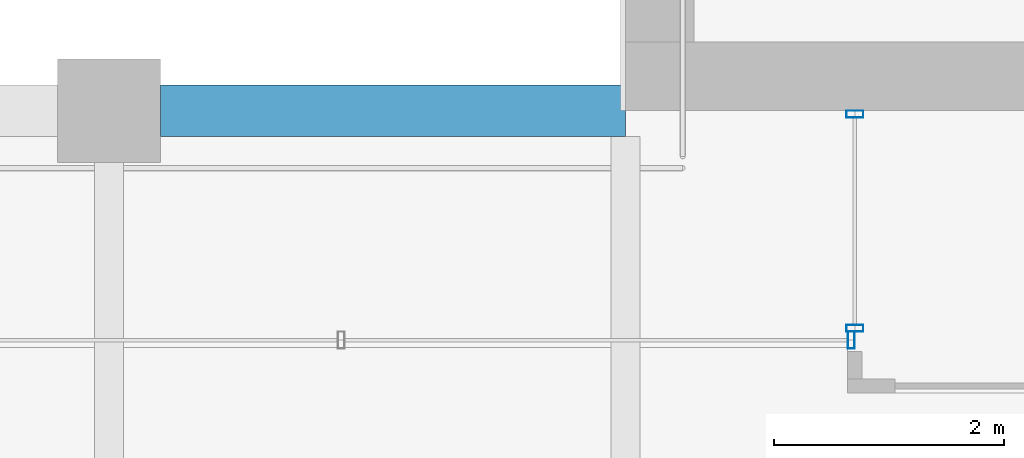
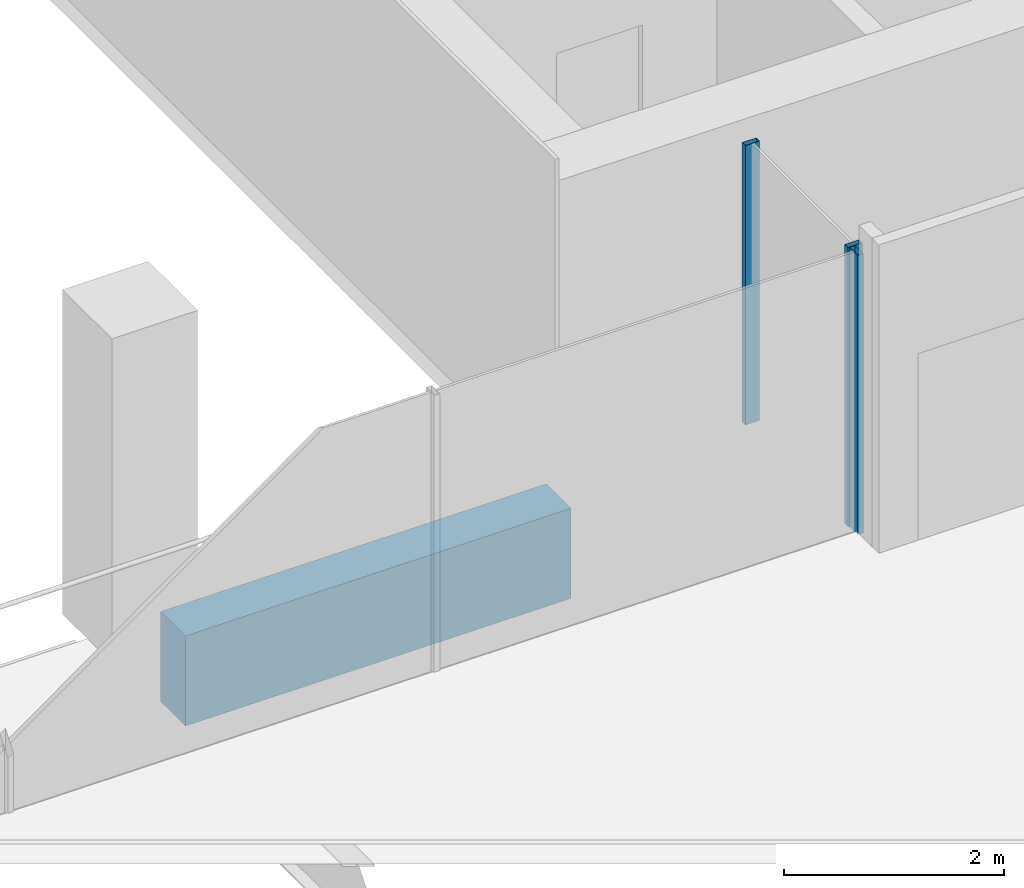
# One storey, part 6 of 40: 3 members, 1 beam, 2 elements without a shape of their own.
"""IFC4 building model written with IfcOpenShell, lengths in metres."""

from ifc_helpers import new_model, si_unit, direction, frame, origin, origin_2d, place, context, subcontext, project, spatial, rectangle, hollow_rectangle, extrude, material, material_profile, profile_set, type_object, element, aggregate, save


model = new_model("IFC4")

# Units and contexts
model_context = context("Model", 3, precision=1e-05, world=origin(), true_north=direction((0.0, 1.0)))
body_context = subcontext(model_context, "Body", "Model", "MODEL_VIEW")
ifc_project = project(units=[si_unit("LENGTHUNIT", "METRE"), si_unit("AREAUNIT", "SQUARE_METRE"), si_unit("VOLUMEUNIT", "CUBIC_METRE"), si_unit("PLANEANGLEUNIT", "RADIAN"), si_unit("MASSUNIT", "GRAM", prefix="KILO")], contexts=[model_context])

# Site, building, storey
site_placement = place(None, origin())
site = spatial("IfcSite", under=ifc_project, at=site_placement, CompositionType="ELEMENT")
building_placement = place(site_placement, origin())
building = spatial("IfcBuilding", under=site, at=building_placement, Name="Altepetl Exchange Towers", CompositionType="ELEMENT")
storey_placement = place(building_placement, frame((0.0, 0.0, 176.199951171875)))
storey = spatial("IfcBuildingStorey", under=building, at=storey_placement, Name="L44", CompositionType="ELEMENT", Elevation=176.199951171875)

# Curtain wall, members
ifc_material_1 = material(Name="Aluminium 6063-T6 glazing", Category="aluminium")
curtain_wall_type = type_object("IfcCurtainWallType", Name="Loggia glazing system", PredefinedType="NOTDEFINED", material=ifc_material_1)
curtain_wall_1_placement = place(storey_placement, origin())
curtain_wall_1 = element("IfcCurtainWall", 1, at=curtain_wall_1_placement, inside=storey, type_object=curtain_wall_type, Name="CW1 run", PredefinedType="NOTDEFINED")
ifc_material_2 = material(Name="Aluminium 6063-T6", Category="aluminium")
ifc_material_profile_1 = material_profile(ifc_material_2, hollow_rectangle(XDim=0.06005859375, YDim=0.14990234375, WallThickness=0.0029296875, at=origin_2d()), Name="Mullion 60x150 aluminium")
ifc_profile_set_1 = profile_set([ifc_material_profile_1], Name="Aluminium 6063-T6")
member_type = type_object("IfcMemberType", Name="Mullion 60x150 aluminium", PredefinedType="MULLION", material=ifc_profile_set_1)
member_1_placement = place(storey_placement, frame((42.5, 40.469970703125, 0.0), z_axis=(0.0, 0.0, 1.0), x_axis=(0.0, -1.0, 0.0)))
member_1 = element("IfcMember", 2, at=member_1_placement, type_object=member_type, Name="MU1 mullion", PredefinedType="MULLION", context=body_context, shape_type="SweptSolid", body=[
    extrude(hollow_rectangle(XDim=0.06005859375, YDim=0.14990234375, WallThickness=0.0029296875, at=origin_2d()), origin(), (0.0, 0.0, 1.0), 3.10009765625),
])
member_2_placement = place(storey_placement, frame((42.5, 38.60498046875, 0.0), z_axis=(0.0, 0.0, 1.0), x_axis=(0.0, -1.0, 0.0)))
member_2 = element("IfcMember", 3, at=member_2_placement, type_object=member_type, Name="MU1 mullion", PredefinedType="MULLION", context=body_context, shape_type="SweptSolid", body=[
    extrude(hollow_rectangle(XDim=0.06005859375, YDim=0.14990234375, WallThickness=0.0029296875, at=origin_2d()), origin(), (0.0, 0.0, 1.0), 3.10009765625),
])
aggregate(curtain_wall_1, [member_1, member_2])

# Curtain wall, member
curtain_wall_2_placement = place(storey_placement, origin())
curtain_wall_2 = element("IfcCurtainWall", 4, at=curtain_wall_2_placement, inside=storey, type_object=curtain_wall_type, Name="CW1 run", PredefinedType="NOTDEFINED")
member_3_placement = place(storey_placement, frame((42.469970703125, 38.5, 0.0), z_axis=(0.0, 0.0, 1.0), x_axis=(-1.0, 0.0, 0.0)))
member_3 = element("IfcMember", 5, at=member_3_placement, type_object=member_type, Name="MU1 mullion", PredefinedType="MULLION", context=body_context, shape_type="SweptSolid", body=[
    extrude(hollow_rectangle(XDim=0.06005859375, YDim=0.14990234375, WallThickness=0.0029296875, at=origin_2d()), origin(), (0.0, 0.0, 1.0), 3.10009765625),
])
aggregate(curtain_wall_2, [member_3])

# Beam
ifc_material_3 = material(Name="Concrete C50/60 precast with tezontle facing", Category="concrete")
ifc_material_profile_2 = material_profile(ifc_material_3, rectangle(XDim=0.449951171875, YDim=1.0, at=origin_2d()), Name="450 x 1000")
ifc_profile_set_2 = profile_set([ifc_material_profile_2], Name="Concrete C50/60 precast with tezontle facing")
beam_type = type_object("IfcBeamType", Name="Spandrel beam 450x1000 tezontle", PredefinedType="SPANDREL", material=ifc_profile_set_2)
beam_placement = place(storey_placement, frame((40.5, 40.5, -0.64990234375), z_axis=(-1.0, 0.0, 0.0), x_axis=(0.0, -1.0, 0.0)))
element("IfcBeam", 6, at=beam_placement, inside=storey, type_object=beam_type, Name="sp:A:L44:033", PredefinedType="SPANDREL", context=body_context, shape_type="SweptSolid", body=[
    extrude(rectangle(XDim=0.449951171875, YDim=1.0, at=origin_2d()), origin(), (0.0, 0.0, 1.0), 4.050048828125),
])

save(model, "model.ifc")
